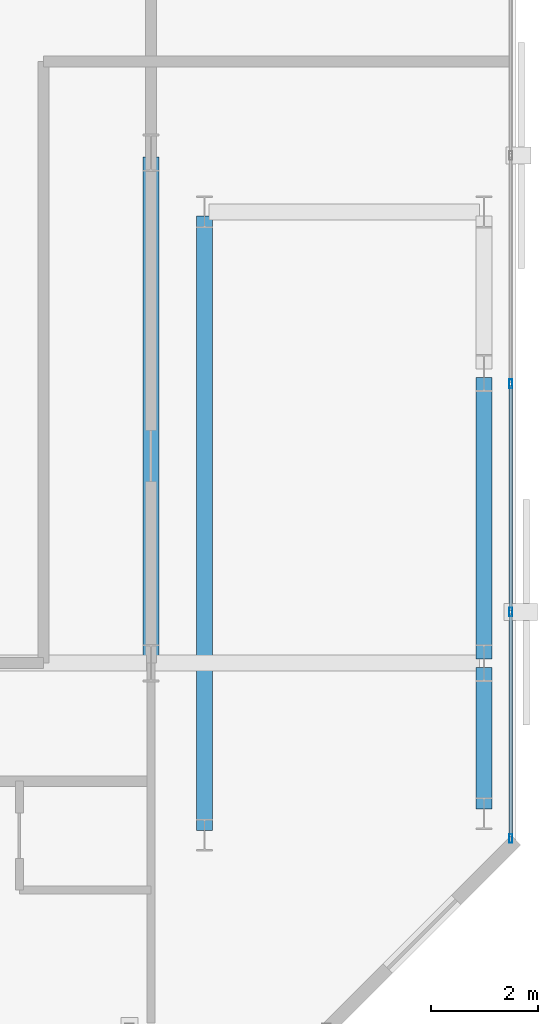
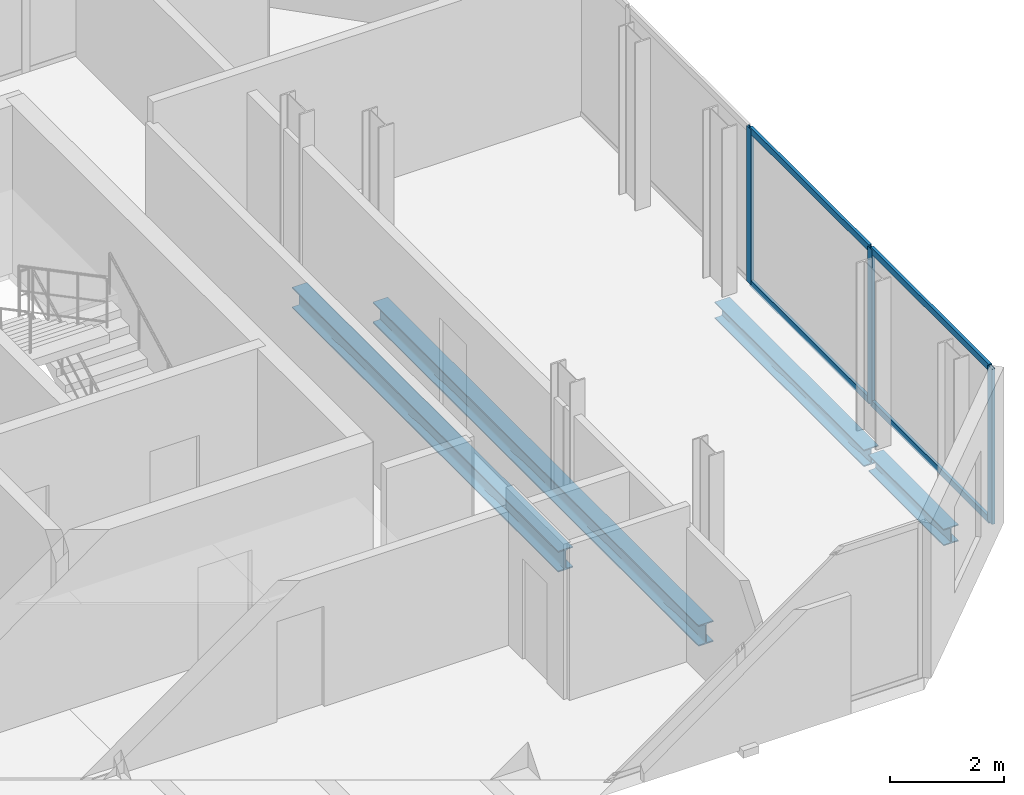
# One storey, part 16 of 32: 7 members, 4 beams, 1 element without a shape of its own.
"""IFC4 building model written with IfcOpenShell, lengths in metres."""

import ifcopenshell
import ifcopenshell.guid

model = None  # the IFC model being written
_history = None  # IfcOwnerHistory: only IFC2X3 demands one
_inside = {}  # id of a spatial element -> (the spatial element, [elements in it])
_under = {}  # id of a project, library or spatial element -> (it, [spatial elements below it])
_declared = {}  # id of a project -> (the project, [libraries it declares])
_typed = {}  # id of a type object -> (the type object, [elements of that type])
_made_of = {}  # id of a material, layer set ... -> (it, [elements and type objects made of it])


def new_model(schema):
    """Start an empty IFC model of exactly this schema.

    Asked for "IFC4X3", IfcOpenShell would pick the latest addendum, in which some entities
    have other attributes; the version numbers below select the first issue.
    IFC2X3 requires an IfcOwnerHistory on every rooted entity: one is made here for all.
    """
    global model, _history
    if schema == "IFC4X3":
        model = ifcopenshell.file(schema_version=(4, 3, 0, 0))
    else:
        model = ifcopenshell.file(schema=schema)
    _inside.clear()
    _under.clear()
    _declared.clear()
    _typed.clear()
    _made_of.clear()
    _history = None
    if model.schema == "IFC2X3":
        org = make("IfcOrganization", Name="unknown")
        user = make(
            "IfcPersonAndOrganization",
            ThePerson=make("IfcPerson", FamilyName="unknown"),
            TheOrganization=org,
        )
        app = make(
            "IfcApplication",
            ApplicationDeveloper=org,
            Version="unknown",
            ApplicationFullName="unknown",
            ApplicationIdentifier="unknown",
        )
        _history = make(
            "IfcOwnerHistory",
            OwningUser=user,
            OwningApplication=app,
            ChangeAction="ADDED",
            CreationDate=0,
        )
    return model


def make(cls, **values):
    """One entity of the class cls with the attributes given. An attribute that is None is left unset."""
    return model.create_entity(
        cls, **{name: value for name, value in values.items() if value is not None}
    )


def rooted(cls, **values):
    """An entity with a GlobalId (a new one), such as an element, a storey or a relation."""
    return make(cls, GlobalId=ifcopenshell.guid.new(), OwnerHistory=_history, **values)


def si_unit(unit_type, name, prefix=None):
    """IfcSIUnit, for example si_unit("LENGTHUNIT", "METRE", prefix="MILLI")."""
    return make("IfcSIUnit", UnitType=unit_type, Prefix=prefix, Name=name)


def assignment(units):
    """IfcUnitAssignment: the units of a project."""
    return None if units is None else make("IfcUnitAssignment", Units=units)


def point(xyz):
    """IfcCartesianPoint."""
    return None if xyz is None else make("IfcCartesianPoint", Coordinates=xyz)


def direction(xyz):
    """IfcDirection."""
    return None if xyz is None else make("IfcDirection", DirectionRatios=xyz)


def frame(location, z_axis=None, x_axis=None):
    """IfcAxis2Placement3D, a coordinate frame: its origin and axes. An axis left out is left unset."""
    return make(
        "IfcAxis2Placement3D",
        Location=point(location),
        Axis=direction(z_axis),
        RefDirection=direction(x_axis),
    )


def frame_2d(location, x_axis=None):
    """IfcAxis2Placement2D, a coordinate frame in the plane: its origin and x axis."""
    return make(
        "IfcAxis2Placement2D", Location=point(location), RefDirection=direction(x_axis)
    )


def origin():
    """The frame at (0, 0, 0) with its axes left unset."""
    return frame((0.0, 0.0, 0.0))


def origin_2d():
    """The frame at (0, 0) in the plane with its x axis left unset."""
    return frame_2d((0.0, 0.0))


def place(relative_to, where):
    """IfcLocalPlacement: puts the frame where relative to a parent placement (None: the world)."""
    return make(
        "IfcLocalPlacement", PlacementRelTo=relative_to, RelativePlacement=where
    )


def context(
    kind, dimensions, precision=None, world=None, true_north=None, identifier=None
):
    """IfcGeometricRepresentationContext, for example the 3D "Model" context."""
    return make(
        "IfcGeometricRepresentationContext",
        ContextIdentifier=identifier,
        ContextType=kind,
        CoordinateSpaceDimension=dimensions,
        Precision=precision,
        WorldCoordinateSystem=world,
        TrueNorth=true_north,
    )


def subcontext(parent, identifier, kind, view, scale=None):
    """IfcGeometricRepresentationSubContext, for example "Body" below "Model"."""
    return make(
        "IfcGeometricRepresentationSubContext",
        ContextIdentifier=identifier,
        ContextType=kind,
        ParentContext=parent,
        TargetScale=scale,
        TargetView=view,
    )


def project(units=None, contexts=None):
    """IfcProject with its units and contexts."""
    return rooted(
        "IfcProject",
        Name="project",
        RepresentationContexts=contexts,
        UnitsInContext=assignment(units),
    )


def spatial(cls, under=None, at=None, **own):
    """A site, building, storey or space (cls), placed at a placement, below another one or the project."""
    s = rooted(cls, ObjectPlacement=at, **own)
    if under is not None:
        _under.setdefault(under.id(), (under, []))[1].append(s)
    return s


def profile(cls, at=None, kind="AREA", **sizes):
    """A parametric profile (cls). Its sizes go by their IFC names, for example OverallWidth=200.0."""
    return make(cls, ProfileType=kind, Position=at, **sizes)


def hollow_rectangle(**sizes):
    """IfcRectangleHollowProfileDef."""
    return profile("IfcRectangleHollowProfileDef", **sizes)


def i_section(**sizes):
    """IfcIShapeProfileDef."""
    return profile("IfcIShapeProfileDef", **sizes)


def extrude(swept, where, along, depth):
    """IfcExtrudedAreaSolid: the profile swept, set in the frame where, extruded along a direction by depth."""
    return make(
        "IfcExtrudedAreaSolid",
        SweptArea=swept,
        Position=where,
        ExtrudedDirection=direction(along),
        Depth=depth,
    )


def shape(context_of_items, identifier, shape_type, items):
    """IfcShapeRepresentation: the items that make up one representation, for example the "Body"."""
    return make(
        "IfcShapeRepresentation",
        ContextOfItems=context_of_items,
        RepresentationIdentifier=identifier,
        RepresentationType=shape_type,
        Items=items,
    )


def material(Name=None, Category=None):
    """IfcMaterial."""
    return make("IfcMaterial", Name=Name, Category=Category)


def layer(
    of_material, thickness, ventilated=None, Name=None, Category=None, Priority=None
):
    """IfcMaterialLayer: one layer of a wall or slab, of a material (None: an air gap)."""
    return make(
        "IfcMaterialLayer",
        Material=of_material,
        LayerThickness=thickness,
        IsVentilated=ventilated,
        Name=Name,
        Category=Category,
        Priority=Priority,
    )


def layer_set(layers, Name=None):
    """IfcMaterialLayerSet."""
    return make("IfcMaterialLayerSet", MaterialLayers=layers, LayerSetName=Name)


def material_profile(
    of_material, cross_section, Name=None, Category=None, Priority=None
):
    """IfcMaterialProfile: a cross section and its material."""
    return make(
        "IfcMaterialProfile",
        Name=Name,
        Material=of_material,
        Profile=cross_section,
        Priority=Priority,
        Category=Category,
    )


def profile_set(profiles, Name=None, composite=None):
    """IfcMaterialProfileSet."""
    return make(
        "IfcMaterialProfileSet",
        Name=Name,
        MaterialProfiles=profiles,
        CompositeProfile=composite,
    )


def made_of(thing, what):
    """Note that an element or type object is made of a material, layer set ...; save() writes the relation."""
    if what is not None:
        _made_of.setdefault(what.id(), (what, []))[1].append(thing)
    return thing


def type_object(cls, material=None, **own):
    """A type object (cls), such as IfcWallType, which elements share."""
    return made_of(rooted(cls, **own), material)


def element(
    cls,
    number,
    at=None,
    inside=None,
    cuts=None,
    type_object=None,
    material=None,
    context=None,
    identifier="Body",
    shape_type=None,
    held_by="IfcProductDefinitionShape",
    body=None,
    shapes=None,
    **own,
):
    """One element of the class cls, such as IfcWall. Its Tag is "e" and its number.

    at: its placement. inside: the storey or other place that contains it. cuts: it is an
    opening in that element (IfcRelVoidsElement). A single representation is given by context,
    identifier, shape_type and body (its items); several are given by shapes. held_by: the class
    of the entity that holds the representations. save() writes the other relations.
    """
    e = rooted(cls, Tag="e%d" % number, ObjectPlacement=at, **own)
    if body is not None:
        shapes = [shape(context, identifier, shape_type, body)]
    if shapes is not None:
        e.Representation = make(held_by, Representations=shapes)
    if inside is not None:
        _inside.setdefault(inside.id(), (inside, []))[1].append(e)
    if cuts is not None:
        rooted(
            "IfcRelVoidsElement", RelatingBuildingElement=cuts, RelatedOpeningElement=e
        )
    if type_object is not None:
        _typed.setdefault(type_object.id(), (type_object, []))[1].append(e)
    return made_of(e, material)


def aggregate(whole, parts):
    """IfcRelAggregates: a whole, such as a stair, and the parts it consists of."""
    return rooted("IfcRelAggregates", RelatingObject=whole, RelatedObjects=parts)


def save(model, path):
    """Write the relations noted so far, then the file.

    IfcRelAggregates (storeys below a building ...), IfcRelContainedInSpatialStructure (elements
    in a storey), IfcRelDefinesByType, IfcRelAssociatesMaterial and IfcRelDeclares: one each for
    every whole, place, type object, material and project.
    """
    for whole, parts in _under.values():
        aggregate(whole, parts)
    for where, things in _inside.values():
        rooted(
            "IfcRelContainedInSpatialStructure",
            RelatedElements=things,
            RelatingStructure=where,
        )
    for kind, things in _typed.values():
        rooted("IfcRelDefinesByType", RelatedObjects=things, RelatingType=kind)
    for what, things in _made_of.values():
        rooted("IfcRelAssociatesMaterial", RelatedObjects=things, RelatingMaterial=what)
    for by, libraries in _declared.values():
        rooted("IfcRelDeclares", RelatingContext=by, RelatedDefinitions=libraries)
    model.write(path)


model = new_model("IFC4")

# Units and contexts
model_context = context("Model", 3, precision=1e-05, world=origin(), true_north=direction((0.0, 1.0)))
body_context = subcontext(model_context, "Body", "Model", "MODEL_VIEW")
ifc_project = project(units=[si_unit("LENGTHUNIT", "METRE"), si_unit("AREAUNIT", "SQUARE_METRE"), si_unit("VOLUMEUNIT", "CUBIC_METRE"), si_unit("PLANEANGLEUNIT", "RADIAN"), si_unit("MASSUNIT", "GRAM", prefix="KILO")], contexts=[model_context])

# Site, building, storey
site_placement = place(None, origin())
site = spatial("IfcSite", under=ifc_project, at=site_placement, CompositionType="ELEMENT")
building_placement = place(site_placement, origin())
building = spatial("IfcBuilding", under=site, at=building_placement, Name="Catumbela Crestline Tower", CompositionType="ELEMENT")
storey_placement = place(building_placement, frame((0.0, 0.0, 126.0)))
storey = spatial("IfcBuildingStorey", under=building, at=storey_placement, Name="L32", CompositionType="ELEMENT", Elevation=126.0)

# Beams
ifc_material_1 = material(Name="Structural steel S355J2", Category="steel")
ifc_material_profile_1 = material_profile(ifc_material_1, i_section(OverallWidth=0.3, OverallDepth=0.45, WebThickness=0.014, FlangeThickness=0.026, FilletRadius=0.027, at=origin_2d()), Name="HEB 450")
ifc_profile_set_1 = profile_set([ifc_material_profile_1], Name="Structural steel S355J2")
beam_type_1 = type_object("IfcBeamType", Name="BG-HEB450", PredefinedType="BEAM", material=ifc_profile_set_1)
beam_1_placement = place(storey_placement, frame((44.2, 30.88, -0.485), z_axis=(0.0, 1.0, 0.0), x_axis=(-1.0, 0.0, 0.0)))
element("IfcBeam", 1, at=beam_1_placement, inside=storey, type_object=beam_type_1, Name="L32 Beam BM-L32-SN32", PredefinedType="BEAM", context=body_context, shape_type="SweptSolid", body=[
    extrude(i_section(OverallWidth=0.3, OverallDepth=0.45, WebThickness=0.014, FlangeThickness=0.026, FilletRadius=0.027, at=origin_2d()), origin(), (0.0, 0.0, 1.0), 9.34),
])
beam_2_placement = place(storey_placement, frame((45.2, 27.68, -0.485), z_axis=(0.0, 1.0, 0.0), x_axis=(-1.0, 0.0, 0.0)))
element("IfcBeam", 2, at=beam_2_placement, inside=storey, type_object=beam_type_1, Name="L32 Beam BM-L32-SN33", PredefinedType="BEAM", context=body_context, shape_type="SweptSolid", body=[
    extrude(i_section(OverallWidth=0.3, OverallDepth=0.45, WebThickness=0.014, FlangeThickness=0.026, FilletRadius=0.027, at=origin_2d()), origin(), (0.0, 0.0, 1.0), 11.44),
])

# Curtain wall, members
ifc_material_2 = material(Name="Aluminium alloy AW-6060-T66", Category="aluminium")
ifc_layer = layer(ifc_material_2, 0.18, Name="Aluminium alloy AW-6060-T66")
ifc_layer_set = layer_set([ifc_layer], Name="Aluminium alloy AW-6060-T66")
curtain_wall_type = type_object("IfcCurtainWallType", Name="CWU-Z2", PredefinedType="USERDEFINED", material=ifc_layer_set)
curtain_wall_placement = place(storey_placement, origin())
curtain_wall = element("IfcCurtainWall", 3, at=curtain_wall_placement, inside=storey, type_object=curtain_wall_type, Name="L32 Unitised Curtain Wall CW-L32-E5S1", ObjectType="UNITISED", PredefinedType="USERDEFINED")
ifc_material_profile_2 = material_profile(ifc_material_2, hollow_rectangle(XDim=0.06, YDim=0.16, WallThickness=0.004, at=origin_2d()), Name="ALU 160x60x4")
ifc_profile_set_2 = profile_set([ifc_material_profile_2], Name="Aluminium alloy AW-6060-T66")
member_type_1 = type_object("IfcMemberType", Name="MUL-160X60", PredefinedType="MULLION", material=ifc_profile_set_2)
member_1_placement = place(storey_placement, frame((50.9, 27.5325, 0.0), z_axis=(0.0, 0.0, 1.0), x_axis=(-1.0, 0.0, 0.0)))
member_1 = element("IfcMember", 4, at=member_1_placement, type_object=member_type_1, Name="CWU-Z2 mullion 1", PredefinedType="MULLION", context=body_context, shape_type="SweptSolid", body=[
    extrude(hollow_rectangle(XDim=0.06, YDim=0.16, WallThickness=0.004, at=origin_2d()), origin(), (0.0, 0.0, 1.0), 3.33),
])
member_2_placement = place(storey_placement, frame((50.9, 31.75, 0.0), z_axis=(0.0, 0.0, 1.0), x_axis=(-1.0, 0.0, 0.0)))
member_2 = element("IfcMember", 5, at=member_2_placement, type_object=member_type_1, Name="CWU-Z2 mullion 2", PredefinedType="MULLION", context=body_context, shape_type="SweptSolid", body=[
    extrude(hollow_rectangle(XDim=0.06, YDim=0.16, WallThickness=0.004, at=origin_2d()), origin(), (0.0, 0.0, 1.0), 3.33),
])
member_3_placement = place(storey_placement, frame((50.9, 36.0, 0.0), z_axis=(0.0, 0.0, 1.0), x_axis=(-1.0, 0.0, 0.0)))
member_3 = element("IfcMember", 6, at=member_3_placement, type_object=member_type_1, Name="CWU-Z2 mullion 3", PredefinedType="MULLION", context=body_context, shape_type="SweptSolid", body=[
    extrude(hollow_rectangle(XDim=0.06, YDim=0.16, WallThickness=0.004, at=origin_2d()), origin(), (0.0, 0.0, 1.0), 3.33),
])

# Beams
ifc_material_profile_3 = material_profile(ifc_material_1, i_section(OverallWidth=0.3, OverallDepth=0.36, WebThickness=0.0125, FlangeThickness=0.0225, FilletRadius=0.027, at=origin_2d()), Name="HEB 360")
ifc_profile_set_3 = profile_set([ifc_material_profile_3], Name="Structural steel S355J2")
beam_type_2 = type_object("IfcBeamType", Name="BS-HEB360", PredefinedType="SPANDREL", material=ifc_profile_set_3)
beam_3_placement = place(storey_placement, frame((50.4, 28.08, -0.44), z_axis=(0.0, 1.0, 0.0), x_axis=(-1.0, 0.0, 0.0)))
element("IfcBeam", 7, at=beam_3_placement, inside=storey, type_object=beam_type_2, Name="L32 Spandrel SP-L32-SN34", PredefinedType="SPANDREL", context=body_context, shape_type="SweptSolid", body=[
    extrude(i_section(OverallWidth=0.3, OverallDepth=0.36, WebThickness=0.0125, FlangeThickness=0.0225, FilletRadius=0.027, at=origin_2d()), origin(), (0.0, 0.0, 1.0), 2.64),
])
beam_4_placement = place(storey_placement, frame((50.4, 30.88, -0.44), z_axis=(0.0, 1.0, 0.0), x_axis=(-1.0, 0.0, 0.0)))
element("IfcBeam", 8, at=beam_4_placement, inside=storey, type_object=beam_type_2, Name="L32 Spandrel SP-L32-SN35", PredefinedType="SPANDREL", context=body_context, shape_type="SweptSolid", body=[
    extrude(i_section(OverallWidth=0.3, OverallDepth=0.36, WebThickness=0.0125, FlangeThickness=0.0225, FilletRadius=0.027, at=origin_2d()), origin(), (0.0, 0.0, 1.0), 5.24),
])

# Member
ifc_material_profile_4 = material_profile(ifc_material_2, hollow_rectangle(XDim=0.06, YDim=0.14, WallThickness=0.004, at=origin_2d()), Name="ALU 140x60x4")
ifc_profile_set_4 = profile_set([ifc_material_profile_4], Name="Aluminium alloy AW-6060-T66")
member_type_2 = type_object("IfcMemberType", Name="TRN-140X60", PredefinedType="USERDEFINED", material=ifc_profile_set_4)
member_4_placement = place(storey_placement, frame((50.9, 27.565, 0.03), z_axis=(0.0, 1.0, 0.0), x_axis=(-1.0, 0.0, 0.0)))
member_4 = element("IfcMember", 9, at=member_4_placement, type_object=member_type_2, Name="CWU-Z2 transom 1.1", ObjectType="TRANSOM", PredefinedType="USERDEFINED", context=body_context, shape_type="SweptSolid", body=[
    extrude(hollow_rectangle(XDim=0.06, YDim=0.14, WallThickness=0.004, at=origin_2d()), origin(), (0.0, 0.0, 1.0), 4.1525),
])

member_5_placement = place(storey_placement, frame((50.9, 27.565, 3.3), z_axis=(0.0, 1.0, 0.0), x_axis=(-1.0, 0.0, 0.0)))
member_5 = element("IfcMember", 10, at=member_5_placement, type_object=member_type_2, Name="CWU-Z2 transom 1.2", ObjectType="TRANSOM", PredefinedType="USERDEFINED", context=body_context, shape_type="SweptSolid", body=[
    extrude(hollow_rectangle(XDim=0.06, YDim=0.14, WallThickness=0.004, at=origin_2d()), origin(), (0.0, 0.0, 1.0), 4.1525),
])

member_6_placement = place(storey_placement, frame((50.9, 31.7825, 0.03), z_axis=(0.0, 1.0, 0.0), x_axis=(-1.0, 0.0, 0.0)))
member_6 = element("IfcMember", 11, at=member_6_placement, type_object=member_type_2, Name="CWU-Z2 transom 2.1", ObjectType="TRANSOM", PredefinedType="USERDEFINED", context=body_context, shape_type="SweptSolid", body=[
    extrude(hollow_rectangle(XDim=0.06, YDim=0.14, WallThickness=0.004, at=origin_2d()), origin(), (0.0, 0.0, 1.0), 4.185),
])

member_7_placement = place(storey_placement, frame((50.9, 31.7825, 3.3), z_axis=(0.0, 1.0, 0.0), x_axis=(-1.0, 0.0, 0.0)))
member_7 = element("IfcMember", 12, at=member_7_placement, type_object=member_type_2, Name="CWU-Z2 transom 2.2", ObjectType="TRANSOM", PredefinedType="USERDEFINED", context=body_context, shape_type="SweptSolid", body=[
    extrude(hollow_rectangle(XDim=0.06, YDim=0.14, WallThickness=0.004, at=origin_2d()), origin(), (0.0, 0.0, 1.0), 4.185),
])

aggregate(curtain_wall, [member_1, member_2, member_3, member_4, member_5, member_6, member_7])

save(model, "model.ifc")
